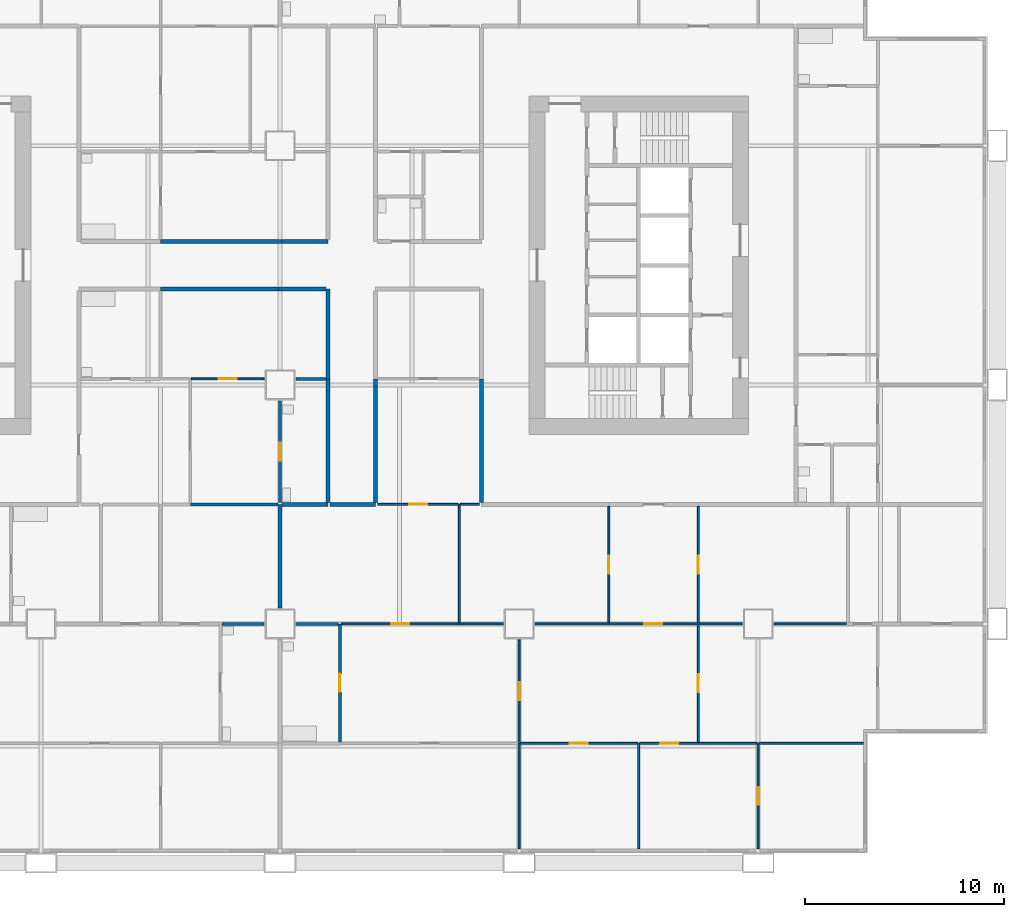
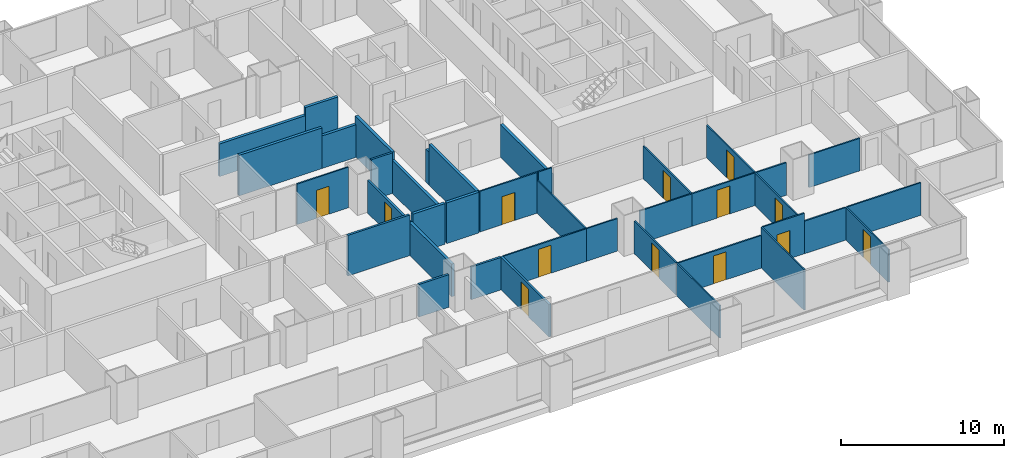
# One storey, part 5 of 13: 39 walls, 13 doors, 13 openings.
"""IFC4 building model written with IfcOpenShell, lengths in metres."""

from ifc_helpers import new_model, si_unit, direction, frame, frame_2d, origin, place, context, subcontext, project, spatial, rectangle, extrude, material, layer, layer_set, type_object, element, fill, save


model = new_model("IFC4")

# Units and contexts
model_context = context("Model", 3, precision=1e-05, world=origin(), true_north=direction((0.0, 1.0)))
body_context = subcontext(model_context, "Body", "Model", "MODEL_VIEW")
ifc_project = project(units=[si_unit("LENGTHUNIT", "METRE"), si_unit("AREAUNIT", "SQUARE_METRE"), si_unit("VOLUMEUNIT", "CUBIC_METRE"), si_unit("PLANEANGLEUNIT", "RADIAN"), si_unit("MASSUNIT", "GRAM", prefix="KILO")], contexts=[model_context])

# Site, building, storey
site_placement = place(None, origin())
site = spatial("IfcSite", under=ifc_project, at=site_placement, CompositionType="ELEMENT")
building_placement = place(site_placement, origin())
building = spatial("IfcBuilding", under=site, at=building_placement, Name="Kitamizu Gate Tower and Museum", CompositionType="ELEMENT")
storey_placement = place(building_placement, frame((0.0, 0.0, 78.300048828125)))
storey = spatial("IfcBuildingStorey", under=building, at=storey_placement, Name="L19", CompositionType="ELEMENT", Elevation=78.300048828125)

# Wall, opening, door
ifc_material_1 = material(Name="Gypsum board on galvanised stud")
ifc_layer_1 = layer(ifc_material_1, 0.10009765625)
ifc_layer_set_1 = layer_set([ifc_layer_1], Name="Gypsum board on galvanised stud")
wall_type_1 = type_object("IfcWallType", Name="Partition 100 NOT RATED", PredefinedType="PARTITIONING", material=ifc_layer_set_1)
wall_1_placement = place(storey_placement, frame((35.199951171875, 24.300048828125, 0.0), z_axis=(0.0, 0.0, 1.0), x_axis=(-1.0, 0.0, 0.0)))
wall_1 = element("IfcWall", 1, at=wall_1_placement, inside=storey, type_object=wall_type_1, Name="Partition L19-044", PredefinedType="PARTITIONING", context=body_context, shape_type="SweptSolid", body=[
    extrude(rectangle(XDim=3.64990234375, YDim=0.10009765625, at=frame_2d((1.824951171875, 0.0))), origin(), (0.0, 0.0, 1.0), 3.050048828125),
])
opening_1_placement = place(wall_1_placement, frame((1.375, 0.0, 0.0)))
opening_1 = element("IfcOpeningElement", 2, at=opening_1_placement, cuts=wall_1, Name="Opening L19-017", PredefinedType="OPENING", context=body_context, shape_type="SweptSolid", body=[
    extrude(rectangle(XDim=0.89990234375, YDim=2.10009765625, at=frame_2d((0.449951171875, 1.050048828125))), frame((0.0, 0.06005859375, 0.0), z_axis=(0.0, -1.0, 0.0), x_axis=(1.0, 0.0, 0.0)), (0.0, 0.0, 1.0), 0.1201171875),
])
ifc_material_2 = material(Name="Timber door set", Category="wood")
door_type_1 = type_object("IfcDoorType", Name="Room door 900", OperationType="NOTDEFINED", PredefinedType="DOOR", material=ifc_material_2)
door_1_placement = place(opening_1_placement, origin())
door_1 = element("IfcDoor", 3, at=door_1_placement, inside=storey, type_object=door_type_1, Name="Door L19-017", OperationType="SINGLE_SWING_LEFT", OverallHeight=2.10009765625, OverallWidth=0.89990234375, PredefinedType="DOOR", context=body_context, shape_type="SweptSolid", body=[
    extrude(rectangle(XDim=0.89990234375, YDim=2.10009765625, at=frame_2d((0.449951171875, 1.050048828125))), frame((0.0, 0.02490234375, 0.0), z_axis=(0.0, -1.0, 0.0), x_axis=(1.0, 0.0, 0.0)), (0.0, 0.0, 1.0), 0.050048828125),
])
fill(opening_1, door_1)

# Walls
wall_2_placement = place(storey_placement, frame((48.0, 0.719970703125, 0.0), z_axis=(0.0, 0.0, 1.0), x_axis=(0.0, 1.0, 0.0)))
element("IfcWall", 4, at=wall_2_placement, inside=storey, type_object=wall_type_1, Name="Partition L19-074", PredefinedType="PARTITIONING", context=body_context, shape_type="SweptSolid", body=[
    extrude(rectangle(XDim=5.280029296875, YDim=0.10009765625, at=frame_2d((2.64013671875, 0.0))), origin(), (0.0, 0.0, 1.0), 2.449951171875),
])
wall_3_placement = place(storey_placement, frame((54.0, 0.719970703125, 0.0), z_axis=(0.0, 0.0, 1.0), x_axis=(0.0, 1.0, 0.0)))
element("IfcWall", 5, at=wall_3_placement, inside=storey, type_object=wall_type_1, Name="Partition L19-077", PredefinedType="PARTITIONING", context=body_context, shape_type="SweptSolid", body=[
    extrude(rectangle(XDim=5.280029296875, YDim=0.10009765625, at=frame_2d((2.64013671875, 0.0))), origin(), (0.0, 0.0, 1.0), 3.050048828125),
])

# Wall, opening, door
wall_4_placement = place(storey_placement, frame((53.949951171875, 6.0, 0.0), z_axis=(0.0, 0.0, 1.0), x_axis=(-1.0, 0.0, 0.0)))
wall_4 = element("IfcWall", 6, at=wall_4_placement, inside=storey, type_object=wall_type_1, Name="Partition L19-078", PredefinedType="PARTITIONING", context=body_context, shape_type="SweptSolid", body=[
    extrude(rectangle(XDim=5.89990234375, YDim=0.10009765625, at=frame_2d((2.949951171875, 0.0))), origin(), (0.0, 0.0, 1.0), 2.449951171875),
])
opening_2_placement = place(wall_4_placement, frame((2.5, 0.0, 0.0)))
opening_2 = element("IfcOpeningElement", 7, at=opening_2_placement, cuts=wall_4, Name="Opening L19-034", PredefinedType="OPENING", context=body_context, shape_type="SweptSolid", body=[
    extrude(rectangle(XDim=0.89990234375, YDim=2.10009765625, at=frame_2d((0.449951171875, 1.050048828125))), frame((0.0, 0.06005859375, 0.0), z_axis=(0.0, -1.0, 0.0), x_axis=(1.0, 0.0, 0.0)), (0.0, 0.0, 1.0), 0.1201171875),
])
door_2_placement = place(opening_2_placement, origin())
door_2 = element("IfcDoor", 8, at=door_2_placement, inside=storey, type_object=door_type_1, Name="Door L19-034", OperationType="SINGLE_SWING_RIGHT", OverallHeight=2.10009765625, OverallWidth=0.89990234375, PredefinedType="DOOR", context=body_context, shape_type="SweptSolid", body=[
    extrude(rectangle(XDim=0.89990234375, YDim=2.10009765625, at=frame_2d((0.449951171875, 1.050048828125))), frame((0.0, 0.02490234375, 0.0), z_axis=(0.0, -1.0, 0.0), x_axis=(1.0, 0.0, 0.0)), (0.0, 0.0, 1.0), 0.050048828125),
])
fill(opening_2, door_2)

wall_5_placement = place(storey_placement, frame((60.0, 0.719970703125, 0.0), z_axis=(0.0, 0.0, 1.0), x_axis=(0.0, 1.0, 0.0)))
wall_5 = element("IfcWall", 9, at=wall_5_placement, inside=storey, type_object=wall_type_1, Name="Partition L19-079", PredefinedType="PARTITIONING", context=body_context, shape_type="SweptSolid", body=[
    extrude(rectangle(XDim=5.280029296875, YDim=0.10009765625, at=frame_2d((2.64013671875, 0.0))), origin(), (0.0, 0.0, 1.0), 2.449951171875),
])
opening_3_placement = place(wall_5_placement, frame((2.18994140625, 0.0, 0.0)))
opening_3 = element("IfcOpeningElement", 10, at=opening_3_placement, cuts=wall_5, Name="Opening L19-031", PredefinedType="OPENING", context=body_context, shape_type="SweptSolid", body=[
    extrude(rectangle(XDim=0.89990234375, YDim=2.10009765625, at=frame_2d((0.449951171875, 1.050048828125))), frame((0.0, 0.06005859375, 0.0), z_axis=(0.0, -1.0, 0.0), x_axis=(1.0, 0.0, 0.0)), (0.0, 0.0, 1.0), 0.1201171875),
])
door_3_placement = place(opening_3_placement, frame((0.89990234375, 0.0, 0.0), x_axis=(-1.0, 0.0, 0.0)))
door_3 = element("IfcDoor", 11, at=door_3_placement, inside=storey, type_object=door_type_1, Name="Door L19-031", OperationType="SINGLE_SWING_RIGHT", OverallHeight=2.10009765625, OverallWidth=0.89990234375, PredefinedType="DOOR", context=body_context, shape_type="SweptSolid", body=[
    extrude(rectangle(XDim=0.89990234375, YDim=2.10009765625, at=frame_2d((0.449951171875, 1.050048828125))), frame((0.0, 0.02490234375, 0.0), z_axis=(0.0, -1.0, 0.0), x_axis=(1.0, 0.0, 0.0)), (0.0, 0.0, 1.0), 0.050048828125),
])
fill(opening_3, door_3)

wall_6_placement = place(storey_placement, frame((57.0, 6.0, 0.0), z_axis=(0.0, 0.0, 1.0), x_axis=(-1.0, 0.0, 0.0)))
wall_6 = element("IfcWall", 12, at=wall_6_placement, inside=storey, type_object=wall_type_1, Name="Partition L19-080", PredefinedType="PARTITIONING", context=body_context, shape_type="SweptSolid", body=[
    extrude(rectangle(XDim=2.949951171875, YDim=0.10009765625, at=frame_2d((1.47509765625, 0.0))), origin(), (0.0, 0.0, 1.0), 3.050048828125),
])
opening_4_placement = place(wall_6_placement, frame((1.02490234375, 0.0, 0.0)))
opening_4 = element("IfcOpeningElement", 13, at=opening_4_placement, cuts=wall_6, Name="Opening L19-028", PredefinedType="OPENING", context=body_context, shape_type="SweptSolid", body=[
    extrude(rectangle(XDim=0.89990234375, YDim=2.10009765625, at=frame_2d((0.449951171875, 1.050048828125))), frame((0.0, 0.06005859375, 0.0), z_axis=(0.0, -1.0, 0.0), x_axis=(1.0, 0.0, 0.0)), (0.0, 0.0, 1.0), 0.1201171875),
])
door_4_placement = place(opening_4_placement, origin())
door_4 = element("IfcDoor", 14, at=door_4_placement, inside=storey, type_object=door_type_1, Name="Door L19-028", OperationType="SINGLE_SWING_LEFT", OverallHeight=2.10009765625, OverallWidth=0.89990234375, PredefinedType="DOOR", context=body_context, shape_type="SweptSolid", body=[
    extrude(rectangle(XDim=0.89990234375, YDim=2.10009765625, at=frame_2d((0.449951171875, 1.050048828125))), frame((0.0, 0.02490234375, 0.0), z_axis=(0.0, -1.0, 0.0), x_axis=(1.0, 0.0, 0.0)), (0.0, 0.0, 1.0), 0.050048828125),
])
fill(opening_4, door_4)

# Walls
wall_7_placement = place(storey_placement, frame((59.949951171875, 6.0, 0.0), z_axis=(0.0, 0.0, 1.0), x_axis=(-1.0, 0.0, 0.0)))
element("IfcWall", 15, at=wall_7_placement, inside=storey, type_object=wall_type_1, Name="Partition L19-081", PredefinedType="PARTITIONING", context=body_context, shape_type="SweptSolid", body=[
    extrude(rectangle(XDim=2.949951171875, YDim=0.10009765625, at=frame_2d((1.47509765625, 0.0))), origin(), (0.0, 0.0, 1.0), 2.449951171875),
])
wall_8_placement = place(storey_placement, frame((65.280029296875, 6.0, 0.0), z_axis=(0.0, 0.0, 1.0), x_axis=(-1.0, 0.0, 0.0)))
element("IfcWall", 16, at=wall_8_placement, inside=storey, type_object=wall_type_1, Name="Partition L19-082", PredefinedType="PARTITIONING", context=body_context, shape_type="SweptSolid", body=[
    extrude(rectangle(XDim=5.22998046875, YDim=0.10009765625, at=frame_2d((2.614990234375, 0.0))), origin(), (0.0, 0.0, 1.0), 2.449951171875),
])

# Wall, opening, door
wall_9_placement = place(storey_placement, frame((48.0, 6.050048828125, 0.0), z_axis=(0.0, 0.0, 1.0), x_axis=(0.0, 1.0, 0.0)))
wall_9 = element("IfcWall", 17, at=wall_9_placement, inside=storey, type_object=wall_type_1, Name="Partition L19-085", PredefinedType="PARTITIONING", context=body_context, shape_type="SweptSolid", body=[
    extrude(rectangle(XDim=5.14990234375, YDim=0.10009765625, at=frame_2d((2.574951171875, 0.0))), origin(), (0.0, 0.0, 1.0), 2.449951171875),
])
opening_5_placement = place(wall_9_placement, frame((2.125, 0.0, 0.0)))
opening_5 = element("IfcOpeningElement", 18, at=opening_5_placement, cuts=wall_9, Name="Opening L19-029", PredefinedType="OPENING", context=body_context, shape_type="SweptSolid", body=[
    extrude(rectangle(XDim=0.89990234375, YDim=2.10009765625, at=frame_2d((0.449951171875, 1.050048828125))), frame((0.0, 0.06005859375, 0.0), z_axis=(0.0, -1.0, 0.0), x_axis=(1.0, 0.0, 0.0)), (0.0, 0.0, 1.0), 0.1201171875),
])
door_5_placement = place(opening_5_placement, frame((0.89990234375, 0.0, 0.0), x_axis=(-1.0, 0.0, 0.0)))
door_5 = element("IfcDoor", 19, at=door_5_placement, inside=storey, type_object=door_type_1, Name="Door L19-029", OperationType="SINGLE_SWING_RIGHT", OverallHeight=2.10009765625, OverallWidth=0.89990234375, PredefinedType="DOOR", context=body_context, shape_type="SweptSolid", body=[
    extrude(rectangle(XDim=0.89990234375, YDim=2.10009765625, at=frame_2d((0.449951171875, 1.050048828125))), frame((0.0, 0.02490234375, 0.0), z_axis=(0.0, -1.0, 0.0), x_axis=(1.0, 0.0, 0.0)), (0.0, 0.0, 1.0), 0.050048828125),
])
fill(opening_5, door_5)

wall_10_placement = place(storey_placement, frame((45.0, 12.0, 0.0), z_axis=(0.0, 0.0, 1.0), x_axis=(-1.0, 0.0, 0.0)))
wall_10 = element("IfcWall", 20, at=wall_10_placement, inside=storey, type_object=wall_type_1, Name="Partition L19-086", PredefinedType="PARTITIONING", context=body_context, shape_type="SweptSolid", body=[
    extrude(rectangle(XDim=5.925048828125, YDim=0.10009765625, at=frame_2d((2.96240234375, 0.0))), origin(), (0.0, 0.0, 1.0), 2.449951171875),
])
opening_6_placement = place(wall_10_placement, frame((2.512451171875, 0.0, 0.0)))
opening_6 = element("IfcOpeningElement", 21, at=opening_6_placement, cuts=wall_10, Name="Opening L19-036", PredefinedType="OPENING", context=body_context, shape_type="SweptSolid", body=[
    extrude(rectangle(XDim=0.89990234375, YDim=2.10009765625, at=frame_2d((0.449951171875, 1.050048828125))), frame((0.0, 0.06005859375, 0.0), z_axis=(0.0, -1.0, 0.0), x_axis=(1.0, 0.0, 0.0)), (0.0, 0.0, 1.0), 0.1201171875),
])
door_6_placement = place(opening_6_placement, frame((0.89990234375, 0.0, 0.0), x_axis=(-1.0, 0.0, 0.0)))
door_6 = element("IfcDoor", 22, at=door_6_placement, inside=storey, type_object=door_type_1, Name="Door L19-036", OperationType="SINGLE_SWING_LEFT", OverallHeight=2.10009765625, OverallWidth=0.89990234375, PredefinedType="DOOR", context=body_context, shape_type="SweptSolid", body=[
    extrude(rectangle(XDim=0.89990234375, YDim=2.10009765625, at=frame_2d((0.449951171875, 1.050048828125))), frame((0.0, 0.02490234375, 0.0), z_axis=(0.0, -1.0, 0.0), x_axis=(1.0, 0.0, 0.0)), (0.0, 0.0, 1.0), 0.050048828125),
])
fill(opening_6, door_6)

# Wall
wall_11_placement = place(storey_placement, frame((47.199951171875, 12.0, 0.0), z_axis=(0.0, 0.0, 1.0), x_axis=(-1.0, 0.0, 0.0)))
element("IfcWall", 23, at=wall_11_placement, inside=storey, type_object=wall_type_1, Name="Partition L19-087", PredefinedType="PARTITIONING", context=body_context, shape_type="SweptSolid", body=[
    extrude(rectangle(XDim=2.199951171875, YDim=0.10009765625, at=frame_2d((1.10009765625, 0.0))), origin(), (0.0, 0.0, 1.0), 2.449951171875),
])

# Wall, opening, door
wall_12_placement = place(storey_placement, frame((57.0, 6.050048828125, 0.0), z_axis=(0.0, 0.0, 1.0), x_axis=(0.0, 1.0, 0.0)))
wall_12 = element("IfcWall", 24, at=wall_12_placement, inside=storey, type_object=wall_type_1, Name="Partition L19-088", PredefinedType="PARTITIONING", context=body_context, shape_type="SweptSolid", body=[
    extrude(rectangle(XDim=5.949951171875, YDim=0.10009765625, at=frame_2d((2.97509765625, 0.0))), origin(), (0.0, 0.0, 1.0), 2.449951171875),
])
opening_7_placement = place(wall_12_placement, frame((2.52490234375, 0.0, 0.0)))
opening_7 = element("IfcOpeningElement", 25, at=opening_7_placement, cuts=wall_12, Name="Opening L19-030", PredefinedType="OPENING", context=body_context, shape_type="SweptSolid", body=[
    extrude(rectangle(XDim=0.89990234375, YDim=2.10009765625, at=frame_2d((0.449951171875, 1.050048828125))), frame((0.0, 0.06005859375, 0.0), z_axis=(0.0, -1.0, 0.0), x_axis=(1.0, 0.0, 0.0)), (0.0, 0.0, 1.0), 0.1201171875),
])
door_7_placement = place(opening_7_placement, frame((0.89990234375, 0.0, 0.0), x_axis=(-1.0, 0.0, 0.0)))
door_7 = element("IfcDoor", 26, at=door_7_placement, inside=storey, type_object=door_type_1, Name="Door L19-030", OperationType="SINGLE_SWING_LEFT", OverallHeight=2.10009765625, OverallWidth=0.89990234375, PredefinedType="DOOR", context=body_context, shape_type="SweptSolid", body=[
    extrude(rectangle(XDim=0.89990234375, YDim=2.10009765625, at=frame_2d((0.449951171875, 1.050048828125))), frame((0.0, 0.02490234375, 0.0), z_axis=(0.0, -1.0, 0.0), x_axis=(1.0, 0.0, 0.0)), (0.0, 0.0, 1.0), 0.050048828125),
])
fill(opening_7, door_7)

# Wall
wall_13_placement = place(storey_placement, frame((52.5, 12.0, 0.0), z_axis=(0.0, 0.0, 1.0), x_axis=(-1.0, 0.0, 0.0)))
element("IfcWall", 27, at=wall_13_placement, inside=storey, type_object=wall_type_1, Name="Partition L19-089", PredefinedType="PARTITIONING", context=body_context, shape_type="SweptSolid", body=[
    extrude(rectangle(XDim=3.699951171875, YDim=0.10009765625, at=frame_2d((1.85009765625, 0.0))), origin(), (0.0, 0.0, 1.0), 2.449951171875),
])

# Wall, opening, door
wall_14_placement = place(storey_placement, frame((56.949951171875, 12.0, 0.0), z_axis=(0.0, 0.0, 1.0), x_axis=(-1.0, 0.0, 0.0)))
wall_14 = element("IfcWall", 28, at=wall_14_placement, inside=storey, type_object=wall_type_1, Name="Partition L19-090", PredefinedType="PARTITIONING", context=body_context, shape_type="SweptSolid", body=[
    extrude(rectangle(XDim=4.449951171875, YDim=0.10009765625, at=frame_2d((2.22509765625, 0.0))), origin(), (0.0, 0.0, 1.0), 2.449951171875),
])
opening_8_placement = place(wall_14_placement, frame((1.77490234375, 0.0, 0.0)))
opening_8 = element("IfcOpeningElement", 29, at=opening_8_placement, cuts=wall_14, Name="Opening L19-027", PredefinedType="OPENING", context=body_context, shape_type="SweptSolid", body=[
    extrude(rectangle(XDim=0.89990234375, YDim=2.10009765625, at=frame_2d((0.449951171875, 1.050048828125))), frame((0.0, 0.06005859375, 0.0), z_axis=(0.0, -1.0, 0.0), x_axis=(1.0, 0.0, 0.0)), (0.0, 0.0, 1.0), 0.1201171875),
])
door_8_placement = place(opening_8_placement, origin())
door_8 = element("IfcDoor", 30, at=door_8_placement, inside=storey, type_object=door_type_1, Name="Door L19-027", OperationType="SINGLE_SWING_RIGHT", OverallHeight=2.10009765625, OverallWidth=0.89990234375, PredefinedType="DOOR", context=body_context, shape_type="SweptSolid", body=[
    extrude(rectangle(XDim=0.89990234375, YDim=2.10009765625, at=frame_2d((0.449951171875, 1.050048828125))), frame((0.0, 0.02490234375, 0.0), z_axis=(0.0, -1.0, 0.0), x_axis=(1.0, 0.0, 0.0)), (0.0, 0.0, 1.0), 0.050048828125),
])
fill(opening_8, door_8)

# Walls
wall_15_placement = place(storey_placement, frame((59.199951171875, 12.0, 0.0), z_axis=(0.0, 0.0, 1.0), x_axis=(-1.0, 0.0, 0.0)))
element("IfcWall", 31, at=wall_15_placement, inside=storey, type_object=wall_type_1, Name="Partition L19-092", PredefinedType="PARTITIONING", context=body_context, shape_type="SweptSolid", body=[
    extrude(rectangle(XDim=2.14990234375, YDim=0.10009765625, at=frame_2d((1.074951171875, 0.0))), origin(), (0.0, 0.0, 1.0), 2.449951171875),
])
wall_16_placement = place(storey_placement, frame((64.425048828125, 12.0, 0.0), z_axis=(0.0, 0.0, 1.0), x_axis=(-1.0, 0.0, 0.0)))
element("IfcWall", 32, at=wall_16_placement, inside=storey, type_object=wall_type_1, Name="Partition L19-093", PredefinedType="PARTITIONING", context=body_context, shape_type="SweptSolid", body=[
    extrude(rectangle(XDim=3.625, YDim=0.10009765625, at=frame_2d((1.8125, 0.0))), origin(), (0.0, 0.0, 1.0), 2.449951171875),
])
wall_17_placement = place(storey_placement, frame((45.0, 12.050048828125, 0.0), z_axis=(0.0, 0.0, 1.0), x_axis=(0.0, 1.0, 0.0)))
element("IfcWall", 33, at=wall_17_placement, inside=storey, type_object=wall_type_1, Name="Partition L19-097", PredefinedType="PARTITIONING", context=body_context, shape_type="SweptSolid", body=[
    extrude(rectangle(XDim=5.949951171875, YDim=0.10009765625, at=frame_2d((2.97509765625, 0.0))), origin(), (0.0, 0.0, 1.0), 2.449951171875),
])

# Wall, opening, door
wall_18_placement = place(storey_placement, frame((44.949951171875, 18.0, 0.0), z_axis=(0.0, 0.0, 1.0), x_axis=(-1.0, 0.0, 0.0)))
wall_18 = element("IfcWall", 34, at=wall_18_placement, inside=storey, type_object=wall_type_1, Name="Partition L19-098", PredefinedType="PARTITIONING", context=body_context, shape_type="SweptSolid", body=[
    extrude(rectangle(XDim=4.050048828125, YDim=0.10009765625, at=frame_2d((2.02490234375, 0.0))), origin(), (0.0, 0.0, 1.0), 3.050048828125),
])
opening_9_placement = place(wall_18_placement, frame((1.574951171875, 0.0, 0.0)))
opening_9 = element("IfcOpeningElement", 35, at=opening_9_placement, cuts=wall_18, Name="Opening L19-041", PredefinedType="OPENING", context=body_context, shape_type="SweptSolid", body=[
    extrude(rectangle(XDim=0.89990234375, YDim=2.10009765625, at=frame_2d((0.449951171875, 1.050048828125))), frame((0.0, 0.06005859375, 0.0), z_axis=(0.0, -1.0, 0.0), x_axis=(1.0, 0.0, 0.0)), (0.0, 0.0, 1.0), 0.1201171875),
])
door_9_placement = place(opening_9_placement, frame((0.89990234375, 0.0, 0.0), x_axis=(-1.0, 0.0, 0.0)))
door_9 = element("IfcDoor", 36, at=door_9_placement, inside=storey, type_object=door_type_1, Name="Door L19-041", OperationType="SINGLE_SWING_LEFT", OverallHeight=2.10009765625, OverallWidth=0.89990234375, PredefinedType="DOOR", context=body_context, shape_type="SweptSolid", body=[
    extrude(rectangle(XDim=0.89990234375, YDim=2.10009765625, at=frame_2d((0.449951171875, 1.050048828125))), frame((0.0, 0.02490234375, 0.0), z_axis=(0.0, -1.0, 0.0), x_axis=(1.0, 0.0, 0.0)), (0.0, 0.0, 1.0), 0.050048828125),
])
fill(opening_9, door_9)

wall_19_placement = place(storey_placement, frame((52.5, 12.050048828125, 0.0), z_axis=(0.0, 0.0, 1.0), x_axis=(0.0, 1.0, 0.0)))
wall_19 = element("IfcWall", 37, at=wall_19_placement, inside=storey, type_object=wall_type_1, Name="Partition L19-100", PredefinedType="PARTITIONING", context=body_context, shape_type="SweptSolid", body=[
    extrude(rectangle(XDim=5.849853515625, YDim=0.10009765625, at=frame_2d((2.9248046875, 0.0))), origin(), (0.0, 0.0, 1.0), 2.449951171875),
])
opening_10_placement = place(wall_19_placement, frame((2.47509765625, 0.0, 0.0)))
opening_10 = element("IfcOpeningElement", 38, at=opening_10_placement, cuts=wall_19, Name="Opening L19-037", PredefinedType="OPENING", context=body_context, shape_type="SweptSolid", body=[
    extrude(rectangle(XDim=0.89990234375, YDim=2.10009765625, at=frame_2d((0.449951171875, 1.050048828125))), frame((0.0, 0.06005859375, 0.0), z_axis=(0.0, -1.0, 0.0), x_axis=(1.0, 0.0, 0.0)), (0.0, 0.0, 1.0), 0.1201171875),
])
door_10_placement = place(opening_10_placement, origin())
door_10 = element("IfcDoor", 39, at=door_10_placement, inside=storey, type_object=door_type_1, Name="Door L19-037", OperationType="SINGLE_SWING_LEFT", OverallHeight=2.10009765625, OverallWidth=0.89990234375, PredefinedType="DOOR", context=body_context, shape_type="SweptSolid", body=[
    extrude(rectangle(XDim=0.89990234375, YDim=2.10009765625, at=frame_2d((0.449951171875, 1.050048828125))), frame((0.0, 0.02490234375, 0.0), z_axis=(0.0, -1.0, 0.0), x_axis=(1.0, 0.0, 0.0)), (0.0, 0.0, 1.0), 0.050048828125),
])
fill(opening_10, door_10)

# Wall
wall_20_placement = place(storey_placement, frame((46.0, 18.0, 0.0), z_axis=(0.0, 0.0, 1.0), x_axis=(-1.0, 0.0, 0.0)))
element("IfcWall", 40, at=wall_20_placement, inside=storey, type_object=wall_type_1, Name="Partition L19-101", PredefinedType="PARTITIONING", context=body_context, shape_type="SweptSolid", body=[
    extrude(rectangle(XDim=0.949951171875, YDim=0.10009765625, at=frame_2d((0.47509765625, 0.0))), origin(), (0.0, 0.0, 1.0), 3.050048828125),
])

# Wall, opening, door
wall_21_placement = place(storey_placement, frame((57.0, 12.050048828125, 0.0), z_axis=(0.0, 0.0, 1.0), x_axis=(0.0, 1.0, 0.0)))
wall_21 = element("IfcWall", 41, at=wall_21_placement, inside=storey, type_object=wall_type_1, Name="Partition L19-103", PredefinedType="PARTITIONING", context=body_context, shape_type="SweptSolid", body=[
    extrude(rectangle(XDim=5.849853515625, YDim=0.10009765625, at=frame_2d((2.9248046875, 0.0))), origin(), (0.0, 0.0, 1.0), 2.449951171875),
])
opening_11_placement = place(wall_21_placement, frame((2.47509765625, 0.0, 0.0)))
opening_11 = element("IfcOpeningElement", 42, at=opening_11_placement, cuts=wall_21, Name="Opening L19-038", PredefinedType="OPENING", context=body_context, shape_type="SweptSolid", body=[
    extrude(rectangle(XDim=0.89990234375, YDim=2.10009765625, at=frame_2d((0.449951171875, 1.050048828125))), frame((0.0, 0.06005859375, 0.0), z_axis=(0.0, -1.0, 0.0), x_axis=(1.0, 0.0, 0.0)), (0.0, 0.0, 1.0), 0.1201171875),
])
door_11_placement = place(opening_11_placement, frame((0.89990234375, 0.0, 0.0), x_axis=(-1.0, 0.0, 0.0)))
door_11 = element("IfcDoor", 43, at=door_11_placement, inside=storey, type_object=door_type_1, Name="Door L19-038", OperationType="SINGLE_SWING_LEFT", OverallHeight=2.10009765625, OverallWidth=0.89990234375, PredefinedType="DOOR", context=body_context, shape_type="SweptSolid", body=[
    extrude(rectangle(XDim=0.89990234375, YDim=2.10009765625, at=frame_2d((0.449951171875, 1.050048828125))), frame((0.0, 0.02490234375, 0.0), z_axis=(0.0, -1.0, 0.0), x_axis=(1.0, 0.0, 0.0)), (0.0, 0.0, 1.0), 0.050048828125),
])
fill(opening_11, door_11)

# Walls
ifc_material_3 = material(Name="Gypsum board on galvanised stud")
ifc_layer_2 = layer(ifc_material_3, 0.14990234375)
ifc_layer_set_2 = layer_set([ifc_layer_2], Name="Gypsum board on galvanised stud")
wall_type_2 = type_object("IfcWallType", Name="Partition 150", PredefinedType="PARTITIONING", material=ifc_layer_set_2)
wall_22_placement = place(storey_placement, frame((35.199951171875, 12.0, 0.0), z_axis=(0.0, 0.0, 1.0), x_axis=(-1.0, 0.0, 0.0)))
element("IfcWall", 44, at=wall_22_placement, inside=storey, type_object=wall_type_2, Name="Partition L19-019", PredefinedType="PARTITIONING", context=body_context, shape_type="SweptSolid", body=[
    extrude(rectangle(XDim=2.125, YDim=0.14990234375, at=frame_2d((1.0625, 0.0))), origin(), (0.0, 0.0, 1.0), 2.449951171875),
])
wall_23_placement = place(storey_placement, frame((35.89990234375, 18.0, 0.0), z_axis=(0.0, 0.0, 1.0), x_axis=(-1.0, 0.0, 0.0)))
element("IfcWall", 45, at=wall_23_placement, inside=storey, type_object=wall_type_2, Name="Partition L19-036", PredefinedType="PARTITIONING", context=body_context, shape_type="SweptSolid", body=[
    extrude(rectangle(XDim=4.39990234375, YDim=0.14990234375, at=frame_2d((2.199951171875, 0.0))), origin(), (0.0, 0.0, 1.0), 3.050048828125),
])

# Wall, opening, door
wall_24_placement = place(storey_placement, frame((36.0, 18.10009765625, 0.0), z_axis=(0.0, 0.0, 1.0), x_axis=(0.0, 1.0, 0.0)))
wall_24 = element("IfcWall", 46, at=wall_24_placement, inside=storey, type_object=wall_type_2, Name="Partition L19-043", PredefinedType="PARTITIONING", context=body_context, shape_type="SweptSolid", body=[
    extrude(rectangle(XDim=5.099853515625, YDim=0.14990234375, at=frame_2d((2.5498046875, 0.0))), origin(), (0.0, 0.0, 1.0), 2.449951171875),
])
opening_12_placement = place(wall_24_placement, frame((2.10009765625, 0.0, 0.0)))
opening_12 = element("IfcOpeningElement", 47, at=opening_12_placement, cuts=wall_24, Name="Opening L19-015", PredefinedType="OPENING", context=body_context, shape_type="SweptSolid", body=[
    extrude(rectangle(XDim=0.89990234375, YDim=2.10009765625, at=frame_2d((0.449951171875, 1.050048828125))), frame((0.0, 0.0849609375, 0.0), z_axis=(0.0, -1.0, 0.0), x_axis=(1.0, 0.0, 0.0)), (0.0, 0.0, 1.0), 0.169921875),
])
ifc_material_4 = material(Name="Timber door set", Category="wood")
door_type_2 = type_object("IfcDoorType", Name="Bathroom door 900", OperationType="NOTDEFINED", PredefinedType="DOOR", material=ifc_material_4)
door_12_placement = place(opening_12_placement, frame((0.89990234375, 0.0, 0.0), x_axis=(-1.0, 0.0, 0.0)))
door_12 = element("IfcDoor", 48, at=door_12_placement, inside=storey, type_object=door_type_2, Name="Bathroom door L19-015", OperationType="SINGLE_SWING_RIGHT", OverallHeight=2.10009765625, OverallWidth=0.89990234375, PredefinedType="DOOR", context=body_context, shape_type="SweptSolid", body=[
    extrude(rectangle(XDim=0.89990234375, YDim=2.10009765625, at=frame_2d((0.449951171875, 1.050048828125))), frame((0.0, 0.02490234375, 0.0), z_axis=(0.0, -1.0, 0.0), x_axis=(1.0, 0.0, 0.0)), (0.0, 0.0, 1.0), 0.050048828125),
])
fill(opening_12, door_12)

# Wall
wall_25_placement = place(storey_placement, frame((38.300048828125, 24.300048828125, 0.0), z_axis=(0.0, 0.0, 1.0), x_axis=(-1.0, 0.0, 0.0)))
element("IfcWall", 49, at=wall_25_placement, inside=storey, type_object=wall_type_2, Name="Partition L19-045", PredefinedType="PARTITIONING", context=body_context, shape_type="SweptSolid", body=[
    extrude(rectangle(XDim=1.5, YDim=0.14990234375, at=frame_2d((0.75, 0.0))), origin(), (0.0, 0.0, 1.0), 3.050048828125),
])

# Wall, opening, door
wall_26_placement = place(storey_placement, frame((39.0, 6.074951171875, 0.0), z_axis=(0.0, 0.0, 1.0), x_axis=(0.0, 1.0, 0.0)))
wall_26 = element("IfcWall", 50, at=wall_26_placement, inside=storey, type_object=wall_type_2, Name="Partition L19-083", PredefinedType="PARTITIONING", context=body_context, shape_type="SweptSolid", body=[
    extrude(rectangle(XDim=5.925048828125, YDim=0.14990234375, at=frame_2d((2.96240234375, 0.0))), origin(), (0.0, 0.0, 1.0), 2.449951171875),
])
opening_13_placement = place(wall_26_placement, frame((2.512451171875, 0.0, 0.0)))
opening_13 = element("IfcOpeningElement", 51, at=opening_13_placement, cuts=wall_26, Name="Opening L19-035", PredefinedType="OPENING", context=body_context, shape_type="SweptSolid", body=[
    extrude(rectangle(XDim=0.89990234375, YDim=2.10009765625, at=frame_2d((0.449951171875, 1.050048828125))), frame((0.0, 0.0849609375, 0.0), z_axis=(0.0, -1.0, 0.0), x_axis=(1.0, 0.0, 0.0)), (0.0, 0.0, 1.0), 0.169921875),
])
door_13_placement = place(opening_13_placement, origin())
door_13 = element("IfcDoor", 52, at=door_13_placement, inside=storey, type_object=door_type_2, Name="Bathroom door L19-035", OperationType="SINGLE_SWING_LEFT", OverallHeight=2.10009765625, OverallWidth=0.89990234375, PredefinedType="DOOR", context=body_context, shape_type="SweptSolid", body=[
    extrude(rectangle(XDim=0.89990234375, YDim=2.10009765625, at=frame_2d((0.449951171875, 1.050048828125))), frame((0.0, 0.02490234375, 0.0), z_axis=(0.0, -1.0, 0.0), x_axis=(1.0, 0.0, 0.0)), (0.0, 0.0, 1.0), 0.050048828125),
])
fill(opening_13, door_13)

# Walls
wall_27_placement = place(storey_placement, frame((38.925048828125, 12.0, 0.0), z_axis=(0.0, 0.0, 1.0), x_axis=(-1.0, 0.0, 0.0)))
element("IfcWall", 53, at=wall_27_placement, inside=storey, type_object=wall_type_2, Name="Partition L19-084", PredefinedType="PARTITIONING", context=body_context, shape_type="SweptSolid", body=[
    extrude(rectangle(XDim=2.125, YDim=0.14990234375, at=frame_2d((1.0625, 0.0))), origin(), (0.0, 0.0, 1.0), 2.449951171875),
])
ifc_material_5 = material(Name="Gypsum board on galvanised stud")
ifc_layer_3 = layer(ifc_material_5, 0.199951171875)
ifc_layer_set_3 = layer_set([ifc_layer_3], Name="Gypsum board on galvanised stud")
wall_type_3 = type_object("IfcWallType", Name="Partition 200", PredefinedType="PARTITIONING", material=ifc_layer_set_3)
wall_28_placement = place(storey_placement, frame((36.0, 12.800048828125, 0.0), z_axis=(0.0, 0.0, 1.0), x_axis=(0.0, 1.0, 0.0)))
element("IfcWall", 54, at=wall_28_placement, inside=storey, type_object=wall_type_3, Name="Partition L19-037", PredefinedType="PARTITIONING", context=body_context, shape_type="SweptSolid", body=[
    extrude(rectangle(XDim=5.199951171875, YDim=0.199951171875, at=frame_2d((2.60009765625, 0.0))), origin(), (0.0, 0.0, 1.0), 2.449951171875),
])
wall_29_placement = place(storey_placement, frame((36.10009765625, 18.0, 0.0), z_axis=(0.0, 0.0, 1.0), x_axis=(1.0, 0.0, 0.0)))
element("IfcWall", 55, at=wall_29_placement, inside=storey, type_object=wall_type_3, Name="Partition L19-046", PredefinedType="PARTITIONING", context=body_context, shape_type="SweptSolid", body=[
    extrude(rectangle(XDim=2.2998046875, YDim=0.199951171875, at=frame_2d((1.14990234375, 0.0))), origin(), (0.0, 0.0, 1.0), 3.050048828125),
])
wall_30_placement = place(storey_placement, frame((38.39990234375, 18.10009765625, 0.0), z_axis=(0.0, 0.0, 1.0), x_axis=(0.0, 1.0, 0.0)))
element("IfcWall", 56, at=wall_30_placement, inside=storey, type_object=wall_type_3, Name="Partition L19-047", PredefinedType="PARTITIONING", context=body_context, shape_type="SweptSolid", body=[
    extrude(rectangle(XDim=6.199951171875, YDim=0.199951171875, at=frame_2d((3.10009765625, 0.0))), origin(), (0.0, 0.0, 1.0), 2.449951171875),
])
wall_31_placement = place(storey_placement, frame((38.39990234375, 24.300048828125, 0.0), z_axis=(0.0, 0.0, 1.0), x_axis=(0.0, 1.0, 0.0)))
element("IfcWall", 57, at=wall_31_placement, inside=storey, type_object=wall_type_3, Name="Partition L19-051", PredefinedType="PARTITIONING", context=body_context, shape_type="SweptSolid", body=[
    extrude(rectangle(XDim=4.5, YDim=0.199951171875, at=frame_2d((2.25, 0.0))), origin(), (0.0, 0.0, 1.0), 3.050048828125),
])
wall_32_placement = place(storey_placement, frame((38.300048828125, 28.800048828125, 0.0), z_axis=(0.0, 0.0, 1.0), x_axis=(-1.0, 0.0, 0.0)))
element("IfcWall", 58, at=wall_32_placement, inside=storey, type_object=wall_type_3, Name="Partition L19-052", PredefinedType="PARTITIONING", context=body_context, shape_type="SweptSolid", body=[
    extrude(rectangle(XDim=2.400146484375, YDim=0.199951171875, at=frame_2d((1.2001953125, 0.0))), origin(), (0.0, 0.0, 1.0), 2.449951171875),
])
wall_33_placement = place(storey_placement, frame((35.89990234375, 28.800048828125, 0.0), z_axis=(0.0, 0.0, 1.0), x_axis=(-1.0, 0.0, 0.0)))
element("IfcWall", 59, at=wall_33_placement, inside=storey, type_object=wall_type_3, Name="Partition L19-053", PredefinedType="PARTITIONING", context=body_context, shape_type="SweptSolid", body=[
    extrude(rectangle(XDim=5.89990234375, YDim=0.199951171875, at=frame_2d((2.949951171875, 0.0))), origin(), (0.0, 0.0, 1.0), 3.050048828125),
])
wall_34_placement = place(storey_placement, frame((40.800048828125, 18.0, 0.0), z_axis=(0.0, 0.0, 1.0), x_axis=(-1.0, 0.0, 0.0)))
element("IfcWall", 60, at=wall_34_placement, inside=storey, type_object=wall_type_3, Name="Partition L19-099", PredefinedType="PARTITIONING", context=body_context, shape_type="SweptSolid", body=[
    extrude(rectangle(XDim=2.300048828125, YDim=0.199951171875, at=frame_2d((1.14990234375, 0.0))), origin(), (0.0, 0.0, 1.0), 3.050048828125),
])
wall_35_placement = place(storey_placement, frame((40.800048828125, 24.300048828125, 0.0), z_axis=(0.0, 0.0, 1.0), x_axis=(0.0, -1.0, 0.0)))
element("IfcWall", 61, at=wall_35_placement, inside=storey, type_object=wall_type_3, Name="Partition L19-114", PredefinedType="PARTITIONING", context=body_context, shape_type="SweptSolid", body=[
    extrude(rectangle(XDim=0.400146484375, YDim=0.199951171875, at=frame_2d((0.2001953125, 0.0))), origin(), (0.0, 0.0, 1.0), 2.449951171875),
])
wall_36_placement = place(storey_placement, frame((40.800048828125, 23.89990234375, 0.0), z_axis=(0.0, 0.0, 1.0), x_axis=(0.0, -1.0, 0.0)))
element("IfcWall", 62, at=wall_36_placement, inside=storey, type_object=wall_type_3, Name="Partition L19-115", PredefinedType="PARTITIONING", context=body_context, shape_type="SweptSolid", body=[
    extrude(rectangle(XDim=5.7998046875, YDim=0.199951171875, at=frame_2d((2.89990234375, 0.0))), origin(), (0.0, 0.0, 1.0), 3.050048828125),
])
wall_37_placement = place(storey_placement, frame((46.10009765625, 18.10009765625, 0.0), z_axis=(0.0, 0.0, 1.0), x_axis=(0.0, 1.0, 0.0)))
element("IfcWall", 63, at=wall_37_placement, inside=storey, type_object=wall_type_3, Name="Partition L19-116", PredefinedType="PARTITIONING", context=body_context, shape_type="SweptSolid", body=[
    extrude(rectangle(XDim=6.199951171875, YDim=0.199951171875, at=frame_2d((3.10009765625, 0.0))), origin(), (0.0, 0.0, 1.0), 2.449951171875),
])
wall_38_placement = place(storey_placement, frame((30.0, 31.199951171875, 0.0), z_axis=(0.0, 0.0, 1.0), x_axis=(1.0, 0.0, 0.0)))
element("IfcWall", 64, at=wall_38_placement, inside=storey, type_object=wall_type_3, Name="Partition L19-168", PredefinedType="PARTITIONING", context=body_context, shape_type="SweptSolid", body=[
    extrude(rectangle(XDim=6.10009765625, YDim=0.199951171875, at=frame_2d((3.050048828125, 0.0))), origin(), (0.0, 0.0, 1.0), 2.449951171875),
])
wall_39_placement = place(storey_placement, frame((36.10009765625, 31.199951171875, 0.0), z_axis=(0.0, 0.0, 1.0), x_axis=(1.0, 0.0, 0.0)))
element("IfcWall", 65, at=wall_39_placement, inside=storey, type_object=wall_type_3, Name="Partition L19-169", PredefinedType="PARTITIONING", context=body_context, shape_type="SweptSolid", body=[
    extrude(rectangle(XDim=2.2998046875, YDim=0.199951171875, at=frame_2d((1.14990234375, 0.0))), origin(), (0.0, 0.0, 1.0), 3.050048828125),
])

save(model, "model.ifc")
